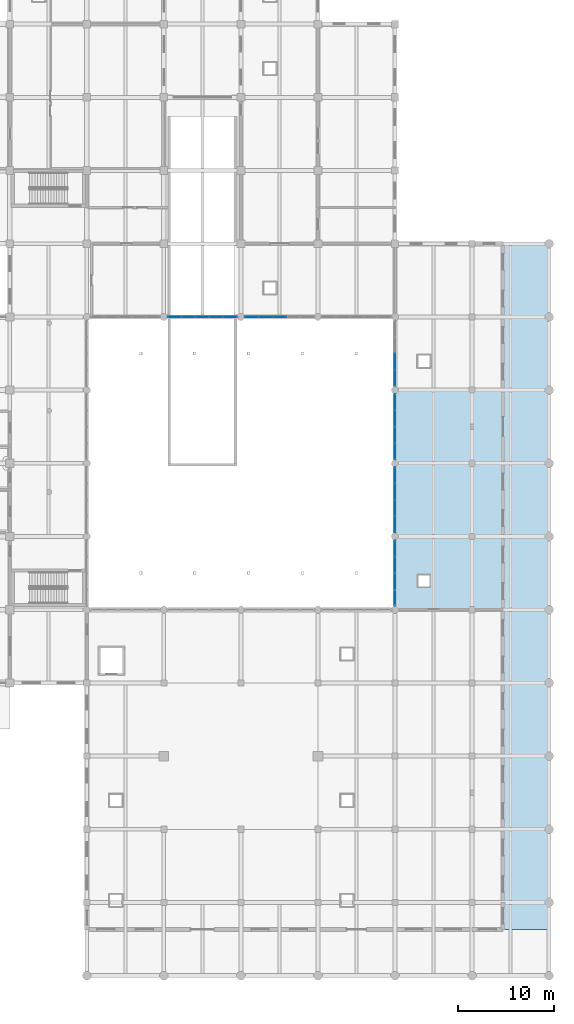
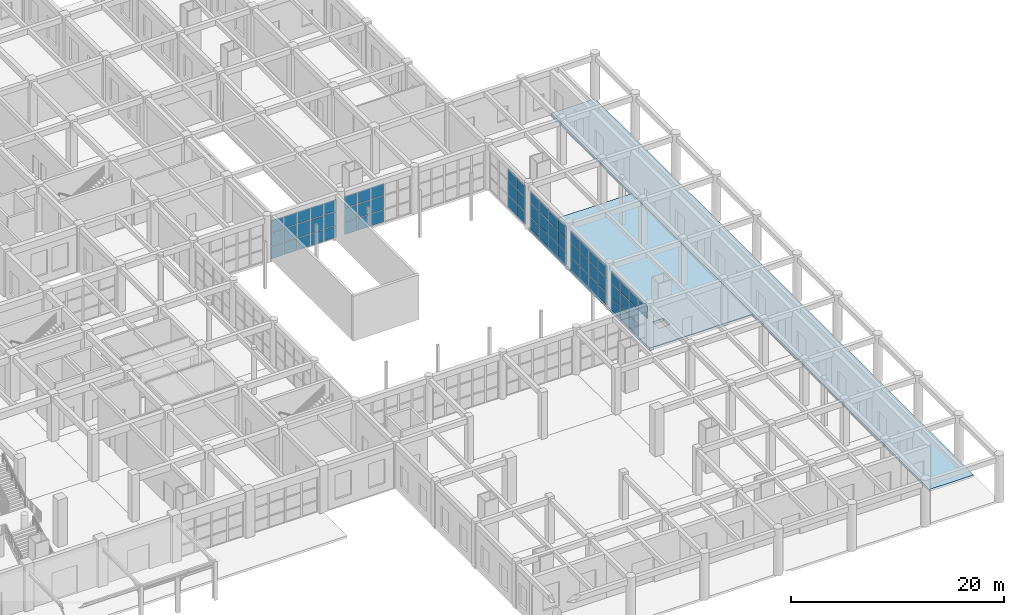
# One storey, part 65 of 95: 64 plates, 2 slabs, 6 elements without a shape of their own.
"""IFC4 building model written with IfcOpenShell, lengths in metres."""

from ifc_helpers import new_model, si_unit, direction, frame, origin, origin_2d, place, context, subcontext, project, spatial, polyline, rectangle, outline, extrude, material, layer, layer_set, type_object, element, aggregate, save


model = new_model("IFC4")

# Units and contexts
model_context = context("Model", 3, precision=1e-05, world=origin(), true_north=direction((0.0, 1.0)))
body_context = subcontext(model_context, "Body", "Model", "MODEL_VIEW")
ifc_project = project(units=[si_unit("LENGTHUNIT", "METRE"), si_unit("AREAUNIT", "SQUARE_METRE"), si_unit("VOLUMEUNIT", "CUBIC_METRE"), si_unit("PLANEANGLEUNIT", "RADIAN"), si_unit("MASSUNIT", "GRAM", prefix="KILO")], contexts=[model_context])

# Site, building, storey
site_placement = place(None, origin())
site = spatial("IfcSite", under=ifc_project, at=site_placement, CompositionType="ELEMENT")
building_placement = place(site_placement, origin())
building = spatial("IfcBuilding", under=site, at=building_placement, Name="Zantavel Square City Hall", CompositionType="ELEMENT")
storey_placement = place(building_placement, origin())
storey = spatial("IfcBuildingStorey", under=building, at=storey_placement, Name="L01", CompositionType="ELEMENT", Elevation=0.0)

# Slab
ifc_material_1 = material(Name="Concrete C35/45", Category="concrete")
ifc_layer_1 = layer(ifc_material_1, 0.300048828125, Name="Concrete C35/45")
ifc_layer_set_1 = layer_set([ifc_layer_1], Name="Concrete C35/45")
slab_type_1 = type_object("IfcSlabType", Name="Ground Civic Floor Slab 300mm C35/45", PredefinedType="FLOOR", material=ifc_layer_set_1)
slab_1_placement = place(storey_placement, frame((0.0, 0.0, -0.300048828125)))
element("IfcSlab", 1, at=slab_1_placement, inside=storey, type_object=slab_type_1, Name="L01 Floor Slab SLB-L01-V2E-01", PredefinedType="FLOOR", context=body_context, shape_type="SweptSolid", body=[
    extrude(outline(polyline([(163.199951171875, 60.800048828125), (163.199951171875, 38.0), (152.0, 38.0), (152.0, 60.800048828125), (163.199951171875, 60.800048828125)]), holes=[polyline([(155.60009765625, 41.60009765625), (154.39990234375, 41.60009765625), (154.39990234375, 40.39990234375), (155.60009765625, 40.39990234375), (155.60009765625, 41.60009765625)])]), origin(), (0.0, 0.0, 1.0), 0.300048828125),
])

# Curtain wall, plates
ifc_material_2 = material(Name="Anodised aluminium 6063-T6", Category="aluminium")
curtain_wall_type_1 = type_object("IfcCurtainWallType", Name="Curtain Wall CRT 7250x4510", PredefinedType="USERDEFINED", material=ifc_material_2)
curtain_wall_1_placement = place(storey_placement, origin())
curtain_wall_1 = element("IfcCurtainWall", 2, at=curtain_wall_1_placement, inside=storey, type_object=curtain_wall_type_1, Name="L01 Glazed Curtain Wall CW-L01-021", ObjectType="GLAZED CURTAIN WALL", PredefinedType="USERDEFINED")
ifc_material_3 = material(Name="Tempered safety glass low-E double glazing", Category="glass")
ifc_layer_2 = layer(ifc_material_3, 0.028076171875, Name="Tempered safety glass low-E double glazing")
ifc_layer_set_2 = layer_set([ifc_layer_2], Name="Tempered safety glass low-E double glazing")
plate_type_1 = type_object("IfcPlateType", Name="Low-E Curtain Glazing Panel 1450x1503x28", PredefinedType="CURTAIN_PANEL", material=ifc_layer_set_2)
plate_1_placement = place(storey_placement, frame((134.885009765625, 68.39990234375, 0.06005859375), z_axis=(0.0, 0.0, 1.0), x_axis=(-1.0, 0.0, 0.0)))
plate_1 = element("IfcPlate", 3, at=plate_1_placement, type_object=plate_type_1, Name="CW-021 panel 1.1", PredefinedType="CURTAIN_PANEL", context=body_context, shape_type="SweptSolid", body=[
    extrude(rectangle(XDim=1.360107421875, YDim=0.028076171875, at=origin_2d()), origin(), (0.0, 0.0, 1.0), 1.35302734375),
])
plate_2_placement = place(storey_placement, frame((134.885009765625, 68.39990234375, 1.472900390625), z_axis=(0.0, 0.0, 1.0), x_axis=(-1.0, 0.0, 0.0)))
plate_2 = element("IfcPlate", 4, at=plate_2_placement, type_object=plate_type_1, Name="CW-021 panel 1.2", PredefinedType="CURTAIN_PANEL", context=body_context, shape_type="SweptSolid", body=[
    extrude(rectangle(XDim=1.360107421875, YDim=0.028076171875, at=origin_2d()), origin(), (0.0, 0.0, 1.0), 1.56396484375),
])
plate_3_placement = place(storey_placement, frame((134.885009765625, 68.39990234375, 3.096923828125), z_axis=(0.0, 0.0, 1.0), x_axis=(-1.0, 0.0, 0.0)))
plate_3 = element("IfcPlate", 5, at=plate_3_placement, type_object=plate_type_1, Name="CW-021 panel 1.3", PredefinedType="CURTAIN_PANEL", context=body_context, shape_type="SweptSolid", body=[
    extrude(rectangle(XDim=1.360107421875, YDim=0.028076171875, at=origin_2d()), origin(), (0.0, 0.0, 1.0), 1.35302734375),
])
plate_4_placement = place(storey_placement, frame((133.449951171875, 68.39990234375, 0.06005859375), z_axis=(0.0, 0.0, 1.0), x_axis=(-1.0, 0.0, 0.0)))
plate_4 = element("IfcPlate", 6, at=plate_4_placement, type_object=plate_type_1, Name="CW-021 panel 2.1", PredefinedType="CURTAIN_PANEL", context=body_context, shape_type="SweptSolid", body=[
    extrude(rectangle(XDim=1.389892578125, YDim=0.028076171875, at=origin_2d()), origin(), (0.0, 0.0, 1.0), 1.35302734375),
])
plate_5_placement = place(storey_placement, frame((133.449951171875, 68.39990234375, 1.472900390625), z_axis=(0.0, 0.0, 1.0), x_axis=(-1.0, 0.0, 0.0)))
plate_5 = element("IfcPlate", 7, at=plate_5_placement, type_object=plate_type_1, Name="CW-021 panel 2.2", PredefinedType="CURTAIN_PANEL", context=body_context, shape_type="SweptSolid", body=[
    extrude(rectangle(XDim=1.389892578125, YDim=0.028076171875, at=origin_2d()), origin(), (0.0, 0.0, 1.0), 1.56396484375),
])
plate_6_placement = place(storey_placement, frame((133.449951171875, 68.39990234375, 3.096923828125), z_axis=(0.0, 0.0, 1.0), x_axis=(-1.0, 0.0, 0.0)))
plate_6 = element("IfcPlate", 8, at=plate_6_placement, type_object=plate_type_1, Name="CW-021 panel 2.3", PredefinedType="CURTAIN_PANEL", context=body_context, shape_type="SweptSolid", body=[
    extrude(rectangle(XDim=1.389892578125, YDim=0.028076171875, at=origin_2d()), origin(), (0.0, 0.0, 1.0), 1.35302734375),
])
plate_7_placement = place(storey_placement, frame((132.0, 68.39990234375, 0.06005859375), z_axis=(0.0, 0.0, 1.0), x_axis=(-1.0, 0.0, 0.0)))
plate_7 = element("IfcPlate", 9, at=plate_7_placement, type_object=plate_type_1, Name="CW-021 panel 3.1", PredefinedType="CURTAIN_PANEL", context=body_context, shape_type="SweptSolid", body=[
    extrude(rectangle(XDim=1.389892578125, YDim=0.028076171875, at=origin_2d()), origin(), (0.0, 0.0, 1.0), 1.35302734375),
])
plate_8_placement = place(storey_placement, frame((132.0, 68.39990234375, 1.472900390625), z_axis=(0.0, 0.0, 1.0), x_axis=(-1.0, 0.0, 0.0)))
plate_8 = element("IfcPlate", 10, at=plate_8_placement, type_object=plate_type_1, Name="CW-021 panel 3.2", PredefinedType="CURTAIN_PANEL", context=body_context, shape_type="SweptSolid", body=[
    extrude(rectangle(XDim=1.389892578125, YDim=0.028076171875, at=origin_2d()), origin(), (0.0, 0.0, 1.0), 1.56396484375),
])
plate_9_placement = place(storey_placement, frame((132.0, 68.39990234375, 3.096923828125), z_axis=(0.0, 0.0, 1.0), x_axis=(-1.0, 0.0, 0.0)))
plate_9 = element("IfcPlate", 11, at=plate_9_placement, type_object=plate_type_1, Name="CW-021 panel 3.3", PredefinedType="CURTAIN_PANEL", context=body_context, shape_type="SweptSolid", body=[
    extrude(rectangle(XDim=1.389892578125, YDim=0.028076171875, at=origin_2d()), origin(), (0.0, 0.0, 1.0), 1.35302734375),
])
plate_10_placement = place(storey_placement, frame((130.550048828125, 68.39990234375, 0.06005859375), z_axis=(0.0, 0.0, 1.0), x_axis=(-1.0, 0.0, 0.0)))
plate_10 = element("IfcPlate", 12, at=plate_10_placement, type_object=plate_type_1, Name="CW-021 panel 4.1", PredefinedType="CURTAIN_PANEL", context=body_context, shape_type="SweptSolid", body=[
    extrude(rectangle(XDim=1.389892578125, YDim=0.028076171875, at=origin_2d()), origin(), (0.0, 0.0, 1.0), 1.35302734375),
])
plate_11_placement = place(storey_placement, frame((130.550048828125, 68.39990234375, 1.472900390625), z_axis=(0.0, 0.0, 1.0), x_axis=(-1.0, 0.0, 0.0)))
plate_11 = element("IfcPlate", 13, at=plate_11_placement, type_object=plate_type_1, Name="CW-021 panel 4.2", PredefinedType="CURTAIN_PANEL", context=body_context, shape_type="SweptSolid", body=[
    extrude(rectangle(XDim=1.389892578125, YDim=0.028076171875, at=origin_2d()), origin(), (0.0, 0.0, 1.0), 1.56396484375),
])
plate_12_placement = place(storey_placement, frame((130.550048828125, 68.39990234375, 3.096923828125), z_axis=(0.0, 0.0, 1.0), x_axis=(-1.0, 0.0, 0.0)))
plate_12 = element("IfcPlate", 14, at=plate_12_placement, type_object=plate_type_1, Name="CW-021 panel 4.3", PredefinedType="CURTAIN_PANEL", context=body_context, shape_type="SweptSolid", body=[
    extrude(rectangle(XDim=1.389892578125, YDim=0.028076171875, at=origin_2d()), origin(), (0.0, 0.0, 1.0), 1.35302734375),
])
plate_13_placement = place(storey_placement, frame((129.114990234375, 68.39990234375, 0.06005859375), z_axis=(0.0, 0.0, 1.0), x_axis=(-1.0, 0.0, 0.0)))
plate_13 = element("IfcPlate", 15, at=plate_13_placement, type_object=plate_type_1, Name="CW-021 panel 5.1", PredefinedType="CURTAIN_PANEL", context=body_context, shape_type="SweptSolid", body=[
    extrude(rectangle(XDim=1.360107421875, YDim=0.028076171875, at=origin_2d()), origin(), (0.0, 0.0, 1.0), 1.35302734375),
])
plate_14_placement = place(storey_placement, frame((129.114990234375, 68.39990234375, 1.472900390625), z_axis=(0.0, 0.0, 1.0), x_axis=(-1.0, 0.0, 0.0)))
plate_14 = element("IfcPlate", 16, at=plate_14_placement, type_object=plate_type_1, Name="CW-021 panel 5.2", PredefinedType="CURTAIN_PANEL", context=body_context, shape_type="SweptSolid", body=[
    extrude(rectangle(XDim=1.360107421875, YDim=0.028076171875, at=origin_2d()), origin(), (0.0, 0.0, 1.0), 1.56396484375),
])
plate_15_placement = place(storey_placement, frame((129.114990234375, 68.39990234375, 3.096923828125), z_axis=(0.0, 0.0, 1.0), x_axis=(-1.0, 0.0, 0.0)))
plate_15 = element("IfcPlate", 17, at=plate_15_placement, type_object=plate_type_1, Name="CW-021 panel 5.3", PredefinedType="CURTAIN_PANEL", context=body_context, shape_type="SweptSolid", body=[
    extrude(rectangle(XDim=1.360107421875, YDim=0.028076171875, at=origin_2d()), origin(), (0.0, 0.0, 1.0), 1.35302734375),
])
aggregate(curtain_wall_1, [plate_1, plate_2, plate_3, plate_4, plate_5, plate_6, plate_7, plate_8, plate_9, plate_10, plate_11, plate_12, plate_13, plate_14, plate_15])

curtain_wall_2_placement = place(storey_placement, origin())
curtain_wall_2 = element("IfcCurtainWall", 18, at=curtain_wall_2_placement, inside=storey, type_object=curtain_wall_type_1, Name="L01 Glazed Curtain Wall CW-L01-036", ObjectType="GLAZED CURTAIN WALL", PredefinedType="USERDEFINED")
plate_16_placement = place(storey_placement, frame((140.0, 68.39990234375, 0.06005859375), z_axis=(0.0, 0.0, 1.0), x_axis=(-1.0, 0.0, 0.0)))
plate_16 = element("IfcPlate", 19, at=plate_16_placement, type_object=plate_type_1, Name="CW-036 panel 3.1", PredefinedType="CURTAIN_PANEL", context=body_context, shape_type="SweptSolid", body=[
    extrude(rectangle(XDim=1.389892578125, YDim=0.028076171875, at=origin_2d()), origin(), (0.0, 0.0, 1.0), 1.35302734375),
])
plate_17_placement = place(storey_placement, frame((140.0, 68.39990234375, 1.472900390625), z_axis=(0.0, 0.0, 1.0), x_axis=(-1.0, 0.0, 0.0)))
plate_17 = element("IfcPlate", 20, at=plate_17_placement, type_object=plate_type_1, Name="CW-036 panel 3.2", PredefinedType="CURTAIN_PANEL", context=body_context, shape_type="SweptSolid", body=[
    extrude(rectangle(XDim=1.389892578125, YDim=0.028076171875, at=origin_2d()), origin(), (0.0, 0.0, 1.0), 1.56396484375),
])
plate_18_placement = place(storey_placement, frame((140.0, 68.39990234375, 3.096923828125), z_axis=(0.0, 0.0, 1.0), x_axis=(-1.0, 0.0, 0.0)))
plate_18 = element("IfcPlate", 21, at=plate_18_placement, type_object=plate_type_1, Name="CW-036 panel 3.3", PredefinedType="CURTAIN_PANEL", context=body_context, shape_type="SweptSolid", body=[
    extrude(rectangle(XDim=1.389892578125, YDim=0.028076171875, at=origin_2d()), origin(), (0.0, 0.0, 1.0), 1.35302734375),
])
plate_19_placement = place(storey_placement, frame((138.550048828125, 68.39990234375, 0.06005859375), z_axis=(0.0, 0.0, 1.0), x_axis=(-1.0, 0.0, 0.0)))
plate_19 = element("IfcPlate", 22, at=plate_19_placement, type_object=plate_type_1, Name="CW-036 panel 4.1", PredefinedType="CURTAIN_PANEL", context=body_context, shape_type="SweptSolid", body=[
    extrude(rectangle(XDim=1.389892578125, YDim=0.028076171875, at=origin_2d()), origin(), (0.0, 0.0, 1.0), 1.35302734375),
])
plate_20_placement = place(storey_placement, frame((138.550048828125, 68.39990234375, 1.472900390625), z_axis=(0.0, 0.0, 1.0), x_axis=(-1.0, 0.0, 0.0)))
plate_20 = element("IfcPlate", 23, at=plate_20_placement, type_object=plate_type_1, Name="CW-036 panel 4.2", PredefinedType="CURTAIN_PANEL", context=body_context, shape_type="SweptSolid", body=[
    extrude(rectangle(XDim=1.389892578125, YDim=0.028076171875, at=origin_2d()), origin(), (0.0, 0.0, 1.0), 1.56396484375),
])
plate_21_placement = place(storey_placement, frame((138.550048828125, 68.39990234375, 3.096923828125), z_axis=(0.0, 0.0, 1.0), x_axis=(-1.0, 0.0, 0.0)))
plate_21 = element("IfcPlate", 24, at=plate_21_placement, type_object=plate_type_1, Name="CW-036 panel 4.3", PredefinedType="CURTAIN_PANEL", context=body_context, shape_type="SweptSolid", body=[
    extrude(rectangle(XDim=1.389892578125, YDim=0.028076171875, at=origin_2d()), origin(), (0.0, 0.0, 1.0), 1.35302734375),
])
plate_22_placement = place(storey_placement, frame((137.114990234375, 68.39990234375, 0.06005859375), z_axis=(0.0, 0.0, 1.0), x_axis=(-1.0, 0.0, 0.0)))
plate_22 = element("IfcPlate", 25, at=plate_22_placement, type_object=plate_type_1, Name="CW-036 panel 5.1", PredefinedType="CURTAIN_PANEL", context=body_context, shape_type="SweptSolid", body=[
    extrude(rectangle(XDim=1.360107421875, YDim=0.028076171875, at=origin_2d()), origin(), (0.0, 0.0, 1.0), 1.35302734375),
])
plate_23_placement = place(storey_placement, frame((137.114990234375, 68.39990234375, 1.472900390625), z_axis=(0.0, 0.0, 1.0), x_axis=(-1.0, 0.0, 0.0)))
plate_23 = element("IfcPlate", 26, at=plate_23_placement, type_object=plate_type_1, Name="CW-036 panel 5.2", PredefinedType="CURTAIN_PANEL", context=body_context, shape_type="SweptSolid", body=[
    extrude(rectangle(XDim=1.360107421875, YDim=0.028076171875, at=origin_2d()), origin(), (0.0, 0.0, 1.0), 1.56396484375),
])
plate_24_placement = place(storey_placement, frame((137.114990234375, 68.39990234375, 3.096923828125), z_axis=(0.0, 0.0, 1.0), x_axis=(-1.0, 0.0, 0.0)))
plate_24 = element("IfcPlate", 27, at=plate_24_placement, type_object=plate_type_1, Name="CW-036 panel 5.3", PredefinedType="CURTAIN_PANEL", context=body_context, shape_type="SweptSolid", body=[
    extrude(rectangle(XDim=1.360107421875, YDim=0.028076171875, at=origin_2d()), origin(), (0.0, 0.0, 1.0), 1.35302734375),
])
aggregate(curtain_wall_2, [plate_16, plate_17, plate_18, plate_19, plate_20, plate_21, plate_22, plate_23, plate_24])

curtain_wall_type_2 = type_object("IfcCurtainWallType", Name="Curtain Wall CRT 6850x4580", PredefinedType="USERDEFINED", material=ifc_material_2)
curtain_wall_3_placement = place(storey_placement, origin())
curtain_wall_3 = element("IfcCurtainWall", 28, at=curtain_wall_3_placement, inside=storey, type_object=curtain_wall_type_2, Name="L01 Glazed Curtain Wall CW-L01-033", ObjectType="GLAZED CURTAIN WALL", PredefinedType="USERDEFINED")
ifc_layer_3 = layer(ifc_material_3, 0.028076171875, Name="Tempered safety glass low-E double glazing")
ifc_layer_set_3 = layer_set([ifc_layer_3], Name="Tempered safety glass low-E double glazing")
plate_type_2 = type_object("IfcPlateType", Name="Low-E Curtain Glazing Panel 1712x1527x28", PredefinedType="CURTAIN_PANEL", material=ifc_layer_set_3)
plate_25_placement = place(storey_placement, frame((152.0, 54.4462890625, 0.06005859375), z_axis=(0.0, 0.0, 1.0), x_axis=(0.0, 1.0, 0.0)))
plate_25 = element("IfcPlate", 29, at=plate_25_placement, type_object=plate_type_2, Name="CW-033 panel 1.1", PredefinedType="CURTAIN_PANEL", context=body_context, shape_type="SweptSolid", body=[
    extrude(rectangle(XDim=1.62255859375, YDim=0.028076171875, at=origin_2d()), origin(), (0.0, 0.0, 1.0), 1.3759765625),
])
plate_26_placement = place(storey_placement, frame((152.0, 54.4462890625, 1.49609375), z_axis=(0.0, 0.0, 1.0), x_axis=(0.0, 1.0, 0.0)))
plate_26 = element("IfcPlate", 30, at=plate_26_placement, type_object=plate_type_2, Name="CW-033 panel 1.2", PredefinedType="CURTAIN_PANEL", context=body_context, shape_type="SweptSolid", body=[
    extrude(rectangle(XDim=1.62255859375, YDim=0.028076171875, at=origin_2d()), origin(), (0.0, 0.0, 1.0), 1.587890625),
])
plate_27_placement = place(storey_placement, frame((152.0, 54.4462890625, 3.14404296875), z_axis=(0.0, 0.0, 1.0), x_axis=(0.0, 1.0, 0.0)))
plate_27 = element("IfcPlate", 31, at=plate_27_placement, type_object=plate_type_2, Name="CW-033 panel 1.3", PredefinedType="CURTAIN_PANEL", context=body_context, shape_type="SweptSolid", body=[
    extrude(rectangle(XDim=1.62255859375, YDim=0.028076171875, at=origin_2d()), origin(), (0.0, 0.0, 1.0), 1.3759765625),
])
plate_28_placement = place(storey_placement, frame((152.0, 56.143798828125, 0.06005859375), z_axis=(0.0, 0.0, 1.0), x_axis=(0.0, 1.0, 0.0)))
plate_28 = element("IfcPlate", 32, at=plate_28_placement, type_object=plate_type_2, Name="CW-033 panel 2.1", PredefinedType="CURTAIN_PANEL", context=body_context, shape_type="SweptSolid", body=[
    extrude(rectangle(XDim=1.652587890625, YDim=0.028076171875, at=origin_2d()), origin(), (0.0, 0.0, 1.0), 1.3759765625),
])
plate_29_placement = place(storey_placement, frame((152.0, 56.143798828125, 1.49609375), z_axis=(0.0, 0.0, 1.0), x_axis=(0.0, 1.0, 0.0)))
plate_29 = element("IfcPlate", 33, at=plate_29_placement, type_object=plate_type_2, Name="CW-033 panel 2.2", PredefinedType="CURTAIN_PANEL", context=body_context, shape_type="SweptSolid", body=[
    extrude(rectangle(XDim=1.652587890625, YDim=0.028076171875, at=origin_2d()), origin(), (0.0, 0.0, 1.0), 1.587890625),
])
plate_30_placement = place(storey_placement, frame((152.0, 56.143798828125, 3.14404296875), z_axis=(0.0, 0.0, 1.0), x_axis=(0.0, 1.0, 0.0)))
plate_30 = element("IfcPlate", 34, at=plate_30_placement, type_object=plate_type_2, Name="CW-033 panel 2.3", PredefinedType="CURTAIN_PANEL", context=body_context, shape_type="SweptSolid", body=[
    extrude(rectangle(XDim=1.652587890625, YDim=0.028076171875, at=origin_2d()), origin(), (0.0, 0.0, 1.0), 1.3759765625),
])
plate_31_placement = place(storey_placement, frame((152.0, 57.856201171875, 0.06005859375), z_axis=(0.0, 0.0, 1.0), x_axis=(0.0, 1.0, 0.0)))
plate_31 = element("IfcPlate", 35, at=plate_31_placement, type_object=plate_type_2, Name="CW-033 panel 3.1", PredefinedType="CURTAIN_PANEL", context=body_context, shape_type="SweptSolid", body=[
    extrude(rectangle(XDim=1.652587890625, YDim=0.028076171875, at=origin_2d()), origin(), (0.0, 0.0, 1.0), 1.3759765625),
])
plate_32_placement = place(storey_placement, frame((152.0, 57.856201171875, 1.49609375), z_axis=(0.0, 0.0, 1.0), x_axis=(0.0, 1.0, 0.0)))
plate_32 = element("IfcPlate", 36, at=plate_32_placement, type_object=plate_type_2, Name="CW-033 panel 3.2", PredefinedType="CURTAIN_PANEL", context=body_context, shape_type="SweptSolid", body=[
    extrude(rectangle(XDim=1.652587890625, YDim=0.028076171875, at=origin_2d()), origin(), (0.0, 0.0, 1.0), 1.587890625),
])
plate_33_placement = place(storey_placement, frame((152.0, 57.856201171875, 3.14404296875), z_axis=(0.0, 0.0, 1.0), x_axis=(0.0, 1.0, 0.0)))
plate_33 = element("IfcPlate", 37, at=plate_33_placement, type_object=plate_type_2, Name="CW-033 panel 3.3", PredefinedType="CURTAIN_PANEL", context=body_context, shape_type="SweptSolid", body=[
    extrude(rectangle(XDim=1.652587890625, YDim=0.028076171875, at=origin_2d()), origin(), (0.0, 0.0, 1.0), 1.3759765625),
])
plate_34_placement = place(storey_placement, frame((152.0, 59.5537109375, 0.06005859375), z_axis=(0.0, 0.0, 1.0), x_axis=(0.0, 1.0, 0.0)))
plate_34 = element("IfcPlate", 38, at=plate_34_placement, type_object=plate_type_2, Name="CW-033 panel 4.1", PredefinedType="CURTAIN_PANEL", context=body_context, shape_type="SweptSolid", body=[
    extrude(rectangle(XDim=1.62255859375, YDim=0.028076171875, at=origin_2d()), origin(), (0.0, 0.0, 1.0), 1.3759765625),
])
plate_35_placement = place(storey_placement, frame((152.0, 59.5537109375, 1.49609375), z_axis=(0.0, 0.0, 1.0), x_axis=(0.0, 1.0, 0.0)))
plate_35 = element("IfcPlate", 39, at=plate_35_placement, type_object=plate_type_2, Name="CW-033 panel 4.2", PredefinedType="CURTAIN_PANEL", context=body_context, shape_type="SweptSolid", body=[
    extrude(rectangle(XDim=1.62255859375, YDim=0.028076171875, at=origin_2d()), origin(), (0.0, 0.0, 1.0), 1.587890625),
])
plate_36_placement = place(storey_placement, frame((152.0, 59.5537109375, 3.14404296875), z_axis=(0.0, 0.0, 1.0), x_axis=(0.0, 1.0, 0.0)))
plate_36 = element("IfcPlate", 40, at=plate_36_placement, type_object=plate_type_2, Name="CW-033 panel 4.3", PredefinedType="CURTAIN_PANEL", context=body_context, shape_type="SweptSolid", body=[
    extrude(rectangle(XDim=1.62255859375, YDim=0.028076171875, at=origin_2d()), origin(), (0.0, 0.0, 1.0), 1.3759765625),
])
aggregate(curtain_wall_3, [plate_25, plate_26, plate_27, plate_28, plate_29, plate_30, plate_31, plate_32, plate_33, plate_34, plate_35, plate_36])

curtain_wall_4_placement = place(storey_placement, origin())
curtain_wall_4 = element("IfcCurtainWall", 41, at=curtain_wall_4_placement, inside=storey, type_object=curtain_wall_type_2, Name="L01 Glazed Curtain Wall CW-L01-031", ObjectType="GLAZED CURTAIN WALL", PredefinedType="USERDEFINED")
ifc_layer_4 = layer(ifc_material_3, 0.028076171875, Name="Tempered safety glass low-E double glazing")
ifc_layer_set_4 = layer_set([ifc_layer_4], Name="Tempered safety glass low-E double glazing")
plate_type_3 = type_object("IfcPlateType", Name="Low-E Curtain Glazing Panel 1713x1527x28", PredefinedType="CURTAIN_PANEL", material=ifc_layer_set_4)
plate_37_placement = place(storey_placement, frame((152.0, 39.246337890625, 3.14404296875), z_axis=(0.0, 0.0, 1.0), x_axis=(0.0, 1.0, 0.0)))
plate_37 = element("IfcPlate", 42, at=plate_37_placement, type_object=plate_type_3, Name="CW-031 panel 1.3", PredefinedType="CURTAIN_PANEL", context=body_context, shape_type="SweptSolid", body=[
    extrude(rectangle(XDim=1.62255859375, YDim=0.028076171875, at=origin_2d()), origin(), (0.0, 0.0, 1.0), 1.3759765625),
])
plate_38_placement = place(storey_placement, frame((152.0, 40.94384765625, 0.06005859375), z_axis=(0.0, 0.0, 1.0), x_axis=(0.0, 1.0, 0.0)))
plate_38 = element("IfcPlate", 43, at=plate_38_placement, type_object=plate_type_3, Name="CW-031 panel 2.1", PredefinedType="CURTAIN_PANEL", context=body_context, shape_type="SweptSolid", body=[
    extrude(rectangle(XDim=1.652587890625, YDim=0.028076171875, at=origin_2d()), origin(), (0.0, 0.0, 1.0), 1.3759765625),
])
plate_39_placement = place(storey_placement, frame((152.0, 40.94384765625, 1.49609375), z_axis=(0.0, 0.0, 1.0), x_axis=(0.0, 1.0, 0.0)))
plate_39 = element("IfcPlate", 44, at=plate_39_placement, type_object=plate_type_3, Name="CW-031 panel 2.2", PredefinedType="CURTAIN_PANEL", context=body_context, shape_type="SweptSolid", body=[
    extrude(rectangle(XDim=1.652587890625, YDim=0.028076171875, at=origin_2d()), origin(), (0.0, 0.0, 1.0), 1.587890625),
])
plate_40_placement = place(storey_placement, frame((152.0, 40.94384765625, 3.14404296875), z_axis=(0.0, 0.0, 1.0), x_axis=(0.0, 1.0, 0.0)))
plate_40 = element("IfcPlate", 45, at=plate_40_placement, type_object=plate_type_3, Name="CW-031 panel 2.3", PredefinedType="CURTAIN_PANEL", context=body_context, shape_type="SweptSolid", body=[
    extrude(rectangle(XDim=1.652587890625, YDim=0.028076171875, at=origin_2d()), origin(), (0.0, 0.0, 1.0), 1.3759765625),
])
plate_41_placement = place(storey_placement, frame((152.0, 42.65625, 0.06005859375), z_axis=(0.0, 0.0, 1.0), x_axis=(0.0, 1.0, 0.0)))
plate_41 = element("IfcPlate", 46, at=plate_41_placement, type_object=plate_type_3, Name="CW-031 panel 3.1", PredefinedType="CURTAIN_PANEL", context=body_context, shape_type="SweptSolid", body=[
    extrude(rectangle(XDim=1.652587890625, YDim=0.028076171875, at=origin_2d()), origin(), (0.0, 0.0, 1.0), 1.3759765625),
])
plate_42_placement = place(storey_placement, frame((152.0, 42.65625, 1.49609375), z_axis=(0.0, 0.0, 1.0), x_axis=(0.0, 1.0, 0.0)))
plate_42 = element("IfcPlate", 47, at=plate_42_placement, type_object=plate_type_3, Name="CW-031 panel 3.2", PredefinedType="CURTAIN_PANEL", context=body_context, shape_type="SweptSolid", body=[
    extrude(rectangle(XDim=1.652587890625, YDim=0.028076171875, at=origin_2d()), origin(), (0.0, 0.0, 1.0), 1.587890625),
])
plate_43_placement = place(storey_placement, frame((152.0, 42.65625, 3.14404296875), z_axis=(0.0, 0.0, 1.0), x_axis=(0.0, 1.0, 0.0)))
plate_43 = element("IfcPlate", 48, at=plate_43_placement, type_object=plate_type_3, Name="CW-031 panel 3.3", PredefinedType="CURTAIN_PANEL", context=body_context, shape_type="SweptSolid", body=[
    extrude(rectangle(XDim=1.652587890625, YDim=0.028076171875, at=origin_2d()), origin(), (0.0, 0.0, 1.0), 1.3759765625),
])
plate_44_placement = place(storey_placement, frame((152.0, 44.353759765625, 0.06005859375), z_axis=(0.0, 0.0, 1.0), x_axis=(0.0, 1.0, 0.0)))
plate_44 = element("IfcPlate", 49, at=plate_44_placement, type_object=plate_type_3, Name="CW-031 panel 4.1", PredefinedType="CURTAIN_PANEL", context=body_context, shape_type="SweptSolid", body=[
    extrude(rectangle(XDim=1.62255859375, YDim=0.028076171875, at=origin_2d()), origin(), (0.0, 0.0, 1.0), 1.3759765625),
])
plate_45_placement = place(storey_placement, frame((152.0, 44.353759765625, 1.49609375), z_axis=(0.0, 0.0, 1.0), x_axis=(0.0, 1.0, 0.0)))
plate_45 = element("IfcPlate", 50, at=plate_45_placement, type_object=plate_type_3, Name="CW-031 panel 4.2", PredefinedType="CURTAIN_PANEL", context=body_context, shape_type="SweptSolid", body=[
    extrude(rectangle(XDim=1.62255859375, YDim=0.028076171875, at=origin_2d()), origin(), (0.0, 0.0, 1.0), 1.587890625),
])
plate_46_placement = place(storey_placement, frame((152.0, 44.353759765625, 3.14404296875), z_axis=(0.0, 0.0, 1.0), x_axis=(0.0, 1.0, 0.0)))
plate_46 = element("IfcPlate", 51, at=plate_46_placement, type_object=plate_type_3, Name="CW-031 panel 4.3", PredefinedType="CURTAIN_PANEL", context=body_context, shape_type="SweptSolid", body=[
    extrude(rectangle(XDim=1.62255859375, YDim=0.028076171875, at=origin_2d()), origin(), (0.0, 0.0, 1.0), 1.3759765625),
])
aggregate(curtain_wall_4, [plate_37, plate_38, plate_39, plate_40, plate_41, plate_42, plate_43, plate_44, plate_45, plate_46])

curtain_wall_5_placement = place(storey_placement, origin())
curtain_wall_5 = element("IfcCurtainWall", 52, at=curtain_wall_5_placement, inside=storey, type_object=curtain_wall_type_2, Name="L01 Glazed Curtain Wall CW-L01-032", ObjectType="GLAZED CURTAIN WALL", PredefinedType="USERDEFINED")
plate_47_placement = place(storey_placement, frame((152.0, 46.84619140625, 0.06005859375), z_axis=(0.0, 0.0, 1.0), x_axis=(0.0, 1.0, 0.0)))
plate_47 = element("IfcPlate", 53, at=plate_47_placement, type_object=plate_type_3, Name="CW-032 panel 1.1", PredefinedType="CURTAIN_PANEL", context=body_context, shape_type="SweptSolid", body=[
    extrude(rectangle(XDim=1.62255859375, YDim=0.028076171875, at=origin_2d()), origin(), (0.0, 0.0, 1.0), 1.3759765625),
])
plate_48_placement = place(storey_placement, frame((152.0, 46.84619140625, 1.49609375), z_axis=(0.0, 0.0, 1.0), x_axis=(0.0, 1.0, 0.0)))
plate_48 = element("IfcPlate", 54, at=plate_48_placement, type_object=plate_type_3, Name="CW-032 panel 1.2", PredefinedType="CURTAIN_PANEL", context=body_context, shape_type="SweptSolid", body=[
    extrude(rectangle(XDim=1.62255859375, YDim=0.028076171875, at=origin_2d()), origin(), (0.0, 0.0, 1.0), 1.587890625),
])
plate_49_placement = place(storey_placement, frame((152.0, 46.84619140625, 3.14404296875), z_axis=(0.0, 0.0, 1.0), x_axis=(0.0, 1.0, 0.0)))
plate_49 = element("IfcPlate", 55, at=plate_49_placement, type_object=plate_type_3, Name="CW-032 panel 1.3", PredefinedType="CURTAIN_PANEL", context=body_context, shape_type="SweptSolid", body=[
    extrude(rectangle(XDim=1.62255859375, YDim=0.028076171875, at=origin_2d()), origin(), (0.0, 0.0, 1.0), 1.3759765625),
])
plate_50_placement = place(storey_placement, frame((152.0, 48.543701171875, 0.06005859375), z_axis=(0.0, 0.0, 1.0), x_axis=(0.0, 1.0, 0.0)))
plate_50 = element("IfcPlate", 56, at=plate_50_placement, type_object=plate_type_3, Name="CW-032 panel 2.1", PredefinedType="CURTAIN_PANEL", context=body_context, shape_type="SweptSolid", body=[
    extrude(rectangle(XDim=1.652587890625, YDim=0.028076171875, at=origin_2d()), origin(), (0.0, 0.0, 1.0), 1.3759765625),
])
plate_51_placement = place(storey_placement, frame((152.0, 48.543701171875, 1.49609375), z_axis=(0.0, 0.0, 1.0), x_axis=(0.0, 1.0, 0.0)))
plate_51 = element("IfcPlate", 57, at=plate_51_placement, type_object=plate_type_3, Name="CW-032 panel 2.2", PredefinedType="CURTAIN_PANEL", context=body_context, shape_type="SweptSolid", body=[
    extrude(rectangle(XDim=1.652587890625, YDim=0.028076171875, at=origin_2d()), origin(), (0.0, 0.0, 1.0), 1.587890625),
])
plate_52_placement = place(storey_placement, frame((152.0, 48.543701171875, 3.14404296875), z_axis=(0.0, 0.0, 1.0), x_axis=(0.0, 1.0, 0.0)))
plate_52 = element("IfcPlate", 58, at=plate_52_placement, type_object=plate_type_3, Name="CW-032 panel 2.3", PredefinedType="CURTAIN_PANEL", context=body_context, shape_type="SweptSolid", body=[
    extrude(rectangle(XDim=1.652587890625, YDim=0.028076171875, at=origin_2d()), origin(), (0.0, 0.0, 1.0), 1.3759765625),
])
plate_53_placement = place(storey_placement, frame((152.0, 50.25634765625, 0.06005859375), z_axis=(0.0, 0.0, 1.0), x_axis=(0.0, 1.0, 0.0)))
plate_53 = element("IfcPlate", 59, at=plate_53_placement, type_object=plate_type_3, Name="CW-032 panel 3.1", PredefinedType="CURTAIN_PANEL", context=body_context, shape_type="SweptSolid", body=[
    extrude(rectangle(XDim=1.652587890625, YDim=0.028076171875, at=origin_2d()), origin(), (0.0, 0.0, 1.0), 1.3759765625),
])
plate_54_placement = place(storey_placement, frame((152.0, 50.25634765625, 1.49609375), z_axis=(0.0, 0.0, 1.0), x_axis=(0.0, 1.0, 0.0)))
plate_54 = element("IfcPlate", 60, at=plate_54_placement, type_object=plate_type_3, Name="CW-032 panel 3.2", PredefinedType="CURTAIN_PANEL", context=body_context, shape_type="SweptSolid", body=[
    extrude(rectangle(XDim=1.652587890625, YDim=0.028076171875, at=origin_2d()), origin(), (0.0, 0.0, 1.0), 1.587890625),
])
plate_55_placement = place(storey_placement, frame((152.0, 50.25634765625, 3.14404296875), z_axis=(0.0, 0.0, 1.0), x_axis=(0.0, 1.0, 0.0)))
plate_55 = element("IfcPlate", 61, at=plate_55_placement, type_object=plate_type_3, Name="CW-032 panel 3.3", PredefinedType="CURTAIN_PANEL", context=body_context, shape_type="SweptSolid", body=[
    extrude(rectangle(XDim=1.652587890625, YDim=0.028076171875, at=origin_2d()), origin(), (0.0, 0.0, 1.0), 1.3759765625),
])
plate_56_placement = place(storey_placement, frame((152.0, 51.953857421875, 0.06005859375), z_axis=(0.0, 0.0, 1.0), x_axis=(0.0, 1.0, 0.0)))
plate_56 = element("IfcPlate", 62, at=plate_56_placement, type_object=plate_type_3, Name="CW-032 panel 4.1", PredefinedType="CURTAIN_PANEL", context=body_context, shape_type="SweptSolid", body=[
    extrude(rectangle(XDim=1.62255859375, YDim=0.028076171875, at=origin_2d()), origin(), (0.0, 0.0, 1.0), 1.3759765625),
])
plate_57_placement = place(storey_placement, frame((152.0, 51.953857421875, 1.49609375), z_axis=(0.0, 0.0, 1.0), x_axis=(0.0, 1.0, 0.0)))
plate_57 = element("IfcPlate", 63, at=plate_57_placement, type_object=plate_type_3, Name="CW-032 panel 4.2", PredefinedType="CURTAIN_PANEL", context=body_context, shape_type="SweptSolid", body=[
    extrude(rectangle(XDim=1.62255859375, YDim=0.028076171875, at=origin_2d()), origin(), (0.0, 0.0, 1.0), 1.587890625),
])
plate_58_placement = place(storey_placement, frame((152.0, 51.953857421875, 3.14404296875), z_axis=(0.0, 0.0, 1.0), x_axis=(0.0, 1.0, 0.0)))
plate_58 = element("IfcPlate", 64, at=plate_58_placement, type_object=plate_type_3, Name="CW-032 panel 4.3", PredefinedType="CURTAIN_PANEL", context=body_context, shape_type="SweptSolid", body=[
    extrude(rectangle(XDim=1.62255859375, YDim=0.028076171875, at=origin_2d()), origin(), (0.0, 0.0, 1.0), 1.3759765625),
])
aggregate(curtain_wall_5, [plate_47, plate_48, plate_49, plate_50, plate_51, plate_52, plate_53, plate_54, plate_55, plate_56, plate_57, plate_58])

curtain_wall_6_placement = place(storey_placement, origin())
curtain_wall_6 = element("IfcCurtainWall", 65, at=curtain_wall_6_placement, inside=storey, type_object=curtain_wall_type_2, Name="L01 Glazed Curtain Wall CW-L01-034", ObjectType="GLAZED CURTAIN WALL", PredefinedType="USERDEFINED")
plate_59_placement = place(storey_placement, frame((152.0, 62.046142578125, 0.06005859375), z_axis=(0.0, 0.0, 1.0), x_axis=(0.0, 1.0, 0.0)))
plate_59 = element("IfcPlate", 66, at=plate_59_placement, type_object=plate_type_3, Name="CW-034 panel 1.1", PredefinedType="CURTAIN_PANEL", context=body_context, shape_type="SweptSolid", body=[
    extrude(rectangle(XDim=1.62255859375, YDim=0.028076171875, at=origin_2d()), origin(), (0.0, 0.0, 1.0), 1.3759765625),
])
plate_60_placement = place(storey_placement, frame((152.0, 62.046142578125, 1.49609375), z_axis=(0.0, 0.0, 1.0), x_axis=(0.0, 1.0, 0.0)))
plate_60 = element("IfcPlate", 67, at=plate_60_placement, type_object=plate_type_3, Name="CW-034 panel 1.2", PredefinedType="CURTAIN_PANEL", context=body_context, shape_type="SweptSolid", body=[
    extrude(rectangle(XDim=1.62255859375, YDim=0.028076171875, at=origin_2d()), origin(), (0.0, 0.0, 1.0), 1.587890625),
])
plate_61_placement = place(storey_placement, frame((152.0, 62.046142578125, 3.14404296875), z_axis=(0.0, 0.0, 1.0), x_axis=(0.0, 1.0, 0.0)))
plate_61 = element("IfcPlate", 68, at=plate_61_placement, type_object=plate_type_3, Name="CW-034 panel 1.3", PredefinedType="CURTAIN_PANEL", context=body_context, shape_type="SweptSolid", body=[
    extrude(rectangle(XDim=1.62255859375, YDim=0.028076171875, at=origin_2d()), origin(), (0.0, 0.0, 1.0), 1.3759765625),
])
plate_62_placement = place(storey_placement, frame((152.0, 63.74365234375, 0.06005859375), z_axis=(0.0, 0.0, 1.0), x_axis=(0.0, 1.0, 0.0)))
plate_62 = element("IfcPlate", 69, at=plate_62_placement, type_object=plate_type_3, Name="CW-034 panel 2.1", PredefinedType="CURTAIN_PANEL", context=body_context, shape_type="SweptSolid", body=[
    extrude(rectangle(XDim=1.652587890625, YDim=0.028076171875, at=origin_2d()), origin(), (0.0, 0.0, 1.0), 1.3759765625),
])
plate_63_placement = place(storey_placement, frame((152.0, 63.74365234375, 1.49609375), z_axis=(0.0, 0.0, 1.0), x_axis=(0.0, 1.0, 0.0)))
plate_63 = element("IfcPlate", 70, at=plate_63_placement, type_object=plate_type_3, Name="CW-034 panel 2.2", PredefinedType="CURTAIN_PANEL", context=body_context, shape_type="SweptSolid", body=[
    extrude(rectangle(XDim=1.652587890625, YDim=0.028076171875, at=origin_2d()), origin(), (0.0, 0.0, 1.0), 1.587890625),
])
plate_64_placement = place(storey_placement, frame((152.0, 63.74365234375, 3.14404296875), z_axis=(0.0, 0.0, 1.0), x_axis=(0.0, 1.0, 0.0)))
plate_64 = element("IfcPlate", 71, at=plate_64_placement, type_object=plate_type_3, Name="CW-034 panel 2.3", PredefinedType="CURTAIN_PANEL", context=body_context, shape_type="SweptSolid", body=[
    extrude(rectangle(XDim=1.652587890625, YDim=0.028076171875, at=origin_2d()), origin(), (0.0, 0.0, 1.0), 1.3759765625),
])
aggregate(curtain_wall_6, [plate_59, plate_60, plate_61, plate_62, plate_63, plate_64])

# Slab
ifc_layer_5 = layer(ifc_material_1, 0.25, Name="Concrete C35/45")
ifc_layer_set_5 = layer_set([ifc_layer_5], Name="Concrete C35/45")
slab_type_2 = type_object("IfcSlabType", Name="Portales Promenade Deck Slab 250mm C35/45", PredefinedType="FLOOR", material=ifc_layer_set_5)
slab_2_placement = place(storey_placement, frame((0.0, 0.0, -0.25)))
element("IfcSlab", 72, at=slab_2_placement, inside=storey, type_object=slab_type_2, Name="L01 Outdoor Terrace Slab SLB-L01-PORT-EE", PredefinedType="FLOOR", context=body_context, shape_type="SweptSolid", body=[
    extrude(outline(polyline([(168.0, 76.0), (168.0, 4.800048828125), (163.199951171875, 4.800048828125), (163.199951171875, 15.199951171875), (163.199951171875, 30.39990234375), (163.199951171875, 38.0), (163.199951171875, 60.800048828125), (163.199951171875, 76.0), (168.0, 76.0)])), origin(), (0.0, 0.0, 1.0), 0.25),
])

save(model, "model.ifc")
